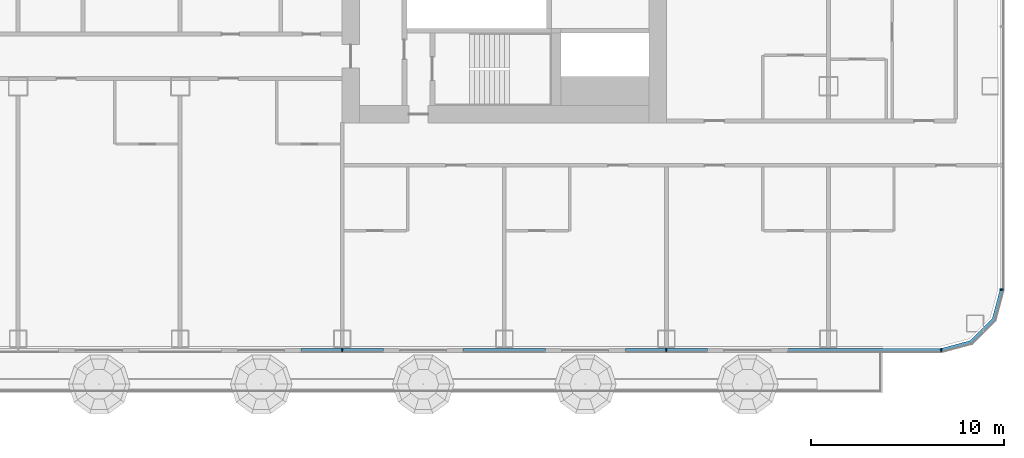
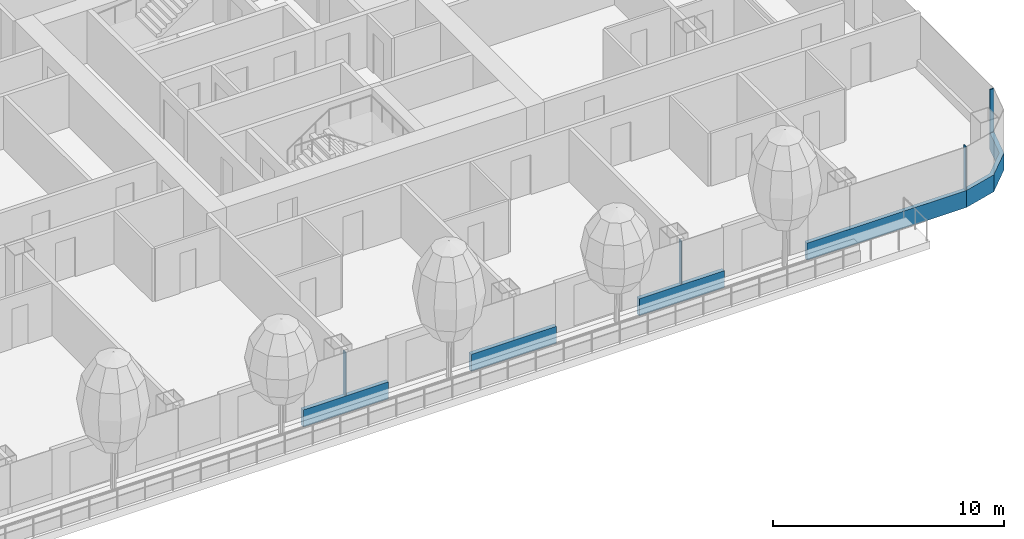
# One storey, part 7 of 35: 9 members, 3 elements without a shape of their own.
"""IFC4 building model written with IfcOpenShell, lengths in metres."""

from ifc_helpers import new_model, si_unit, direction, frame, origin, origin_2d, place, context, subcontext, project, spatial, polyline, rectangle, outline, extrude, material, layer, layer_set, material_profile, profile_set, type_object, element, aggregate, save


model = new_model("IFC4")

# Units and contexts
model_context = context("Model", 3, precision=1e-05, world=origin(), true_north=direction((0.0, 1.0)))
body_context = subcontext(model_context, "Body", "Model", "MODEL_VIEW")
ifc_project = project(units=[si_unit("LENGTHUNIT", "METRE"), si_unit("AREAUNIT", "SQUARE_METRE"), si_unit("VOLUMEUNIT", "CUBIC_METRE"), si_unit("PLANEANGLEUNIT", "RADIAN"), si_unit("MASSUNIT", "GRAM", prefix="KILO")], contexts=[model_context])

# Site, building, storey
site_placement = place(None, origin())
site = spatial("IfcSite", under=ifc_project, at=site_placement, CompositionType="ELEMENT")
building_placement = place(site_placement, origin())
building = spatial("IfcBuilding", under=site, at=building_placement, Name="Hakoniwa Tower and Hamabe Station Hall", CompositionType="ELEMENT")
storey_placement = place(building_placement, frame((0.0, 0.0, 51.800048828125)))
storey = spatial("IfcBuildingStorey", under=building, at=storey_placement, Name="L14", CompositionType="ELEMENT", Elevation=51.800048828125)

# Curtain wall, members
ifc_material_1 = material(Name="Dark low-e laminated glass", Category="glass")
ifc_layer = layer(ifc_material_1, 0.199951171875)
ifc_layer_set = layer_set([ifc_layer], Name="CW-1 UNITISED GUEST")
curtain_wall_type = type_object("IfcCurtainWallType", Name="CW-1 UNITISED GUEST", PredefinedType="NOTDEFINED", material=ifc_layer_set)
curtain_wall_1_placement = place(storey_placement, origin())
curtain_wall_1 = element("IfcCurtainWall", 1, at=curtain_wall_1_placement, inside=storey, type_object=curtain_wall_type, Name="CW-1 curtain wall", PredefinedType="NOTDEFINED")
ifc_material_2 = material(Name="Aluminium 6063-T5 black anodised", Category="aluminium")
ifc_material_profile_1 = material_profile(ifc_material_2, rectangle(XDim=0.199951171875, YDim=0.89990234375, at=origin_2d()), Name="CW SLAB-EDGE BAND 900X200")
ifc_profile_set_1 = profile_set([ifc_material_profile_1], Name="Aluminium 6063-T5 black anodised")
member_type_1 = type_object("IfcMemberType", Name="CW SLAB-EDGE BAND 900X200", PredefinedType="USERDEFINED", material=ifc_profile_set_1)
member_1_placement = place(storey_placement, frame((14.669921875, -20.199951171875, -0.10009765625), z_axis=(1.0, 0.0, 0.0), x_axis=(0.0, 1.0, 0.0)))
member_1 = element("IfcMember", 2, at=member_1_placement, type_object=member_type_1, Name="CW-1 transom", ObjectType="TRANSOM", PredefinedType="USERDEFINED", context=body_context, shape_type="SweptSolid", body=[
    extrude(rectangle(XDim=0.199951171875, YDim=0.89990234375, at=origin_2d()), origin(), (0.0, 0.0, 1.0), 4.260009765625),
])
member_2_placement = place(storey_placement, frame((23.070068359375, -20.199951171875, -0.10009765625), z_axis=(1.0, 0.0, 0.0), x_axis=(0.0, 1.0, 0.0)))
member_2 = element("IfcMember", 3, at=member_2_placement, type_object=member_type_1, Name="CW-1 transom", ObjectType="TRANSOM", PredefinedType="USERDEFINED", context=body_context, shape_type="SweptSolid", body=[
    extrude(rectangle(XDim=0.199951171875, YDim=0.89990234375, at=origin_2d()), origin(), (0.0, 0.0, 1.0), 4.260009765625),
])
member_3_placement = place(storey_placement, frame((31.469970703125, -20.199951171875, -0.10009765625), z_axis=(1.0, 0.0, 0.0), x_axis=(0.0, 1.0, 0.0)))
member_3 = element("IfcMember", 4, at=member_3_placement, type_object=member_type_1, Name="CW-1 transom", ObjectType="TRANSOM", PredefinedType="USERDEFINED", context=body_context, shape_type="SweptSolid", body=[
    extrude(rectangle(XDim=0.199951171875, YDim=0.89990234375, at=origin_2d()), origin(), (0.0, 0.0, 1.0), 4.260009765625),
])
member_4_placement = place(storey_placement, frame((39.8701171875, -20.199951171875, -0.10009765625), z_axis=(1.0, 0.0, 0.0), x_axis=(0.0, 1.0, 0.0)))
member_4 = element("IfcMember", 5, at=member_4_placement, type_object=member_type_1, Name="CW-1 transom", ObjectType="TRANSOM", PredefinedType="USERDEFINED", context=body_context, shape_type="SweptSolid", body=[
    extrude(rectangle(XDim=0.199951171875, YDim=0.89990234375, at=origin_2d()), origin(), (0.0, 0.0, 1.0), 7.969482421875),
])

# Curtain wall, member
curtain_wall_2_placement = place(storey_placement, origin())
curtain_wall_2 = element("IfcCurtainWall", 6, at=curtain_wall_2_placement, inside=storey, type_object=curtain_wall_type, Name="CW-1 curtain wall", PredefinedType="NOTDEFINED")
member_5_placement = place(storey_placement, frame((0.0, 0.0, -0.550048828125)))
member_5 = element("IfcMember", 7, at=member_5_placement, type_object=member_type_1, Name="CW-1 transom", ObjectType="TRANSOM", PredefinedType="USERDEFINED", context=body_context, shape_type="SweptSolid", body=[
    extrude(outline(polyline([(47.839599609375, -20.300048828125), (49.455322265625, -19.866943359375), (50.6669921875, -18.6552734375), (51.10009765625, -17.03955078125), (50.90673828125, -16.98779296875), (50.48779296875, -18.5517578125), (49.351806640625, -19.687744140625), (47.787841796875, -20.10693359375), (47.839599609375, -20.300048828125)])), origin(), (0.0, 0.0, 1.0), 0.89990234375),
])
aggregate(curtain_wall_2, [member_5])

curtain_wall_3_placement = place(storey_placement, origin())
curtain_wall_3 = element("IfcCurtainWall", 8, at=curtain_wall_3_placement, inside=storey, type_object=curtain_wall_type, Name="CW-1 curtain wall", PredefinedType="NOTDEFINED")
ifc_material_3 = material(Name="Aluminium 6063-T5 black anodised", Category="aluminium")
ifc_material_profile_2 = material_profile(ifc_material_3, rectangle(XDim=0.06005859375, YDim=0.179931640625, at=origin_2d()), Name="CW-1 MULLION 60X180")
ifc_profile_set_2 = profile_set([ifc_material_profile_2], Name="Aluminium 6063-T5 black anodised")
member_type_2 = type_object("IfcMemberType", Name="CW-1 MULLION 60X180", PredefinedType="MULLION", material=ifc_profile_set_2)
member_6_placement = place(storey_placement, frame((50.98193359375, -17.03955078125, 0.349853515625), z_axis=(0.0, 0.0, 1.0), x_axis=(0.0, 1.0, 0.0)))
member_6 = element("IfcMember", 9, at=member_6_placement, type_object=member_type_2, Name="CW-1 mullion", PredefinedType="MULLION", context=body_context, shape_type="SweptSolid", body=[
    extrude(rectangle(XDim=0.06005859375, YDim=0.179931640625, at=origin_2d()), origin(), (0.0, 0.0, 1.0), 2.300048828125),
])
aggregate(curtain_wall_3, [member_6])

# Member
member_7_placement = place(storey_placement, frame((16.800048828125, -20.181884765625, 0.349853515625), z_axis=(0.0, 0.0, 1.0), x_axis=(1.0, 0.0, 0.0)))
member_7 = element("IfcMember", 10, at=member_7_placement, type_object=member_type_2, Name="CW-1 mullion", PredefinedType="MULLION", context=body_context, shape_type="SweptSolid", body=[
    extrude(rectangle(XDim=0.06005859375, YDim=0.179931640625, at=origin_2d()), origin(), (0.0, 0.0, 1.0), 2.300048828125),
])

member_8_placement = place(storey_placement, frame((33.60009765625, -20.181884765625, 0.349853515625), z_axis=(0.0, 0.0, 1.0), x_axis=(1.0, 0.0, 0.0)))
member_8 = element("IfcMember", 11, at=member_8_placement, type_object=member_type_2, Name="CW-1 mullion", PredefinedType="MULLION", context=body_context, shape_type="SweptSolid", body=[
    extrude(rectangle(XDim=0.06005859375, YDim=0.179931640625, at=origin_2d()), origin(), (0.0, 0.0, 1.0), 2.300048828125),
])

member_9_placement = place(storey_placement, frame((47.839599609375, -20.181884765625, 0.349853515625), z_axis=(0.0, 0.0, 1.0), x_axis=(1.0, 0.0, 0.0)))
member_9 = element("IfcMember", 12, at=member_9_placement, type_object=member_type_2, Name="CW-1 mullion", PredefinedType="MULLION", context=body_context, shape_type="SweptSolid", body=[
    extrude(rectangle(XDim=0.06005859375, YDim=0.179931640625, at=origin_2d()), origin(), (0.0, 0.0, 1.0), 2.300048828125),
])

aggregate(curtain_wall_1, [member_7, member_8, member_9, member_1, member_2, member_3, member_4])

save(model, "model.ifc")
